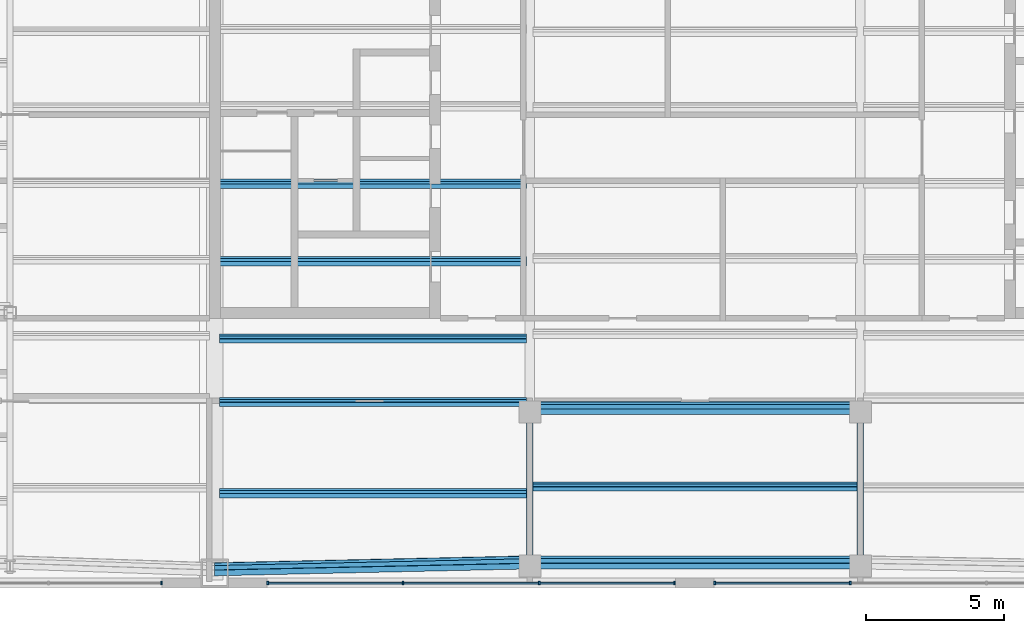
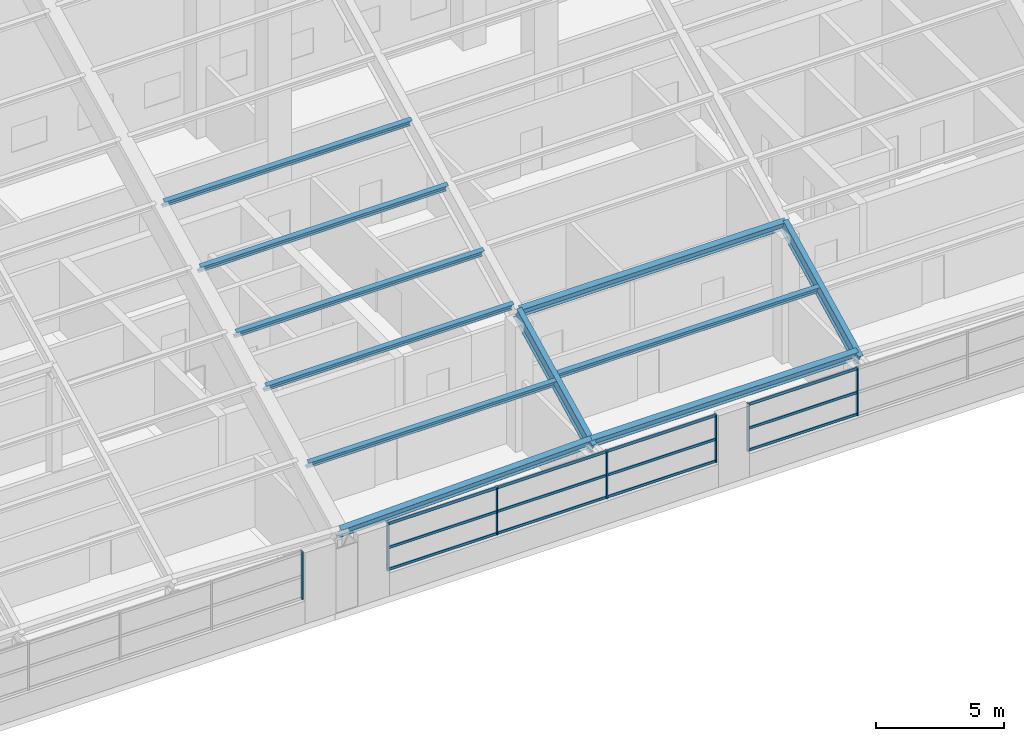
# One storey, part 13 of 28: 30 members, 3 elements without a shape of their own.
"""IFC4 building model written with IfcOpenShell, lengths in metres."""

from ifc_helpers import new_model, si_unit, direction, frame, origin, origin_2d, place, context, subcontext, project, spatial, rectangle, i_section, extrude, material, material_profile, profile_set, type_object, element, aggregate, save


model = new_model("IFC4")

# Units and contexts
model_context = context("Model", 3, precision=1e-05, world=origin(), true_north=direction((0.0, 1.0)))
body_context = subcontext(model_context, "Body", "Model", "MODEL_VIEW")
ifc_project = project(units=[si_unit("LENGTHUNIT", "METRE"), si_unit("AREAUNIT", "SQUARE_METRE"), si_unit("VOLUMEUNIT", "CUBIC_METRE"), si_unit("PLANEANGLEUNIT", "RADIAN"), si_unit("MASSUNIT", "GRAM", prefix="KILO")], contexts=[model_context])

# Site, building, storey
site_placement = place(None, origin())
site = spatial("IfcSite", under=ifc_project, at=site_placement, CompositionType="ELEMENT")
building_placement = place(site_placement, origin())
building = spatial("IfcBuilding", under=site, at=building_placement, Name="Tuart Gate Housing", CompositionType="ELEMENT")
storey_placement = place(building_placement, frame((0.0, 0.0, 243.89990234375)))
storey = spatial("IfcBuildingStorey", under=building, at=storey_placement, Name="L68", CompositionType="ELEMENT", Elevation=243.89990234375)

# Members
ifc_material_1 = material(Name="Steel Grade 350", Category="steel")
ifc_material_profile_1 = material_profile(ifc_material_1, i_section(OverallWidth=0.22900390625, OverallDepth=0.612060546875, WebThickness=0.011962890625, FlangeThickness=0.01953125, at=origin_2d()), Name="610UB125")
ifc_profile_set_1 = profile_set([ifc_material_profile_1], Name="Steel Grade 350")
member_type_1 = type_object("IfcMemberType", Name="Crown purlin 610 UB125 (11.5-13.5 m)", PredefinedType="PURLIN", material=ifc_profile_set_1)
member_1_placement = place(storey_placement, frame((131.550048828125, 54.686767578125, 3.301513671875), z_axis=(0.999702176669, 0.021827651526, 0.010913825763), x_axis=(-0.024404056125, 0.894107142767, 0.447187722659)))
element("IfcMember", 1, at=member_1_placement, inside=storey, type_object=member_type_1, Name="Crown purlin 3", PredefinedType="PURLIN", context=body_context, shape_type="SweptSolid", body=[
    extrude(i_section(OverallWidth=0.22900390625, OverallDepth=0.612060546875, WebThickness=0.011962890625, FlangeThickness=0.01953125, at=origin_2d()), origin(), (0.0, 0.0, 1.0), 11.453369140625),
])
for number, where, z_axis, x_axis, name in (
    (2, (143.0, 54.936767578125, 3.426513671875), (1.0, 0.0, 0.0), (0.0, 0.89442680992, 0.44721435766), "Crown purlin 14"),
    (3, (143.0, 60.536865234375, 6.226318359375), (1.0, 0.0, 0.0), (0.0, 0.89442680992, 0.44721435766), "Crown purlin 18"),
):
    element("IfcMember", number, at=place(storey_placement, frame(where, z_axis=z_axis, x_axis=x_axis)), inside=storey, type_object=member_type_1, Name=name, PredefinedType="PURLIN", context=body_context, shape_type="SweptSolid", body=[
        extrude(i_section(OverallWidth=0.22900390625, OverallDepth=0.612060546875, WebThickness=0.011962890625, FlangeThickness=0.01953125, at=origin_2d()), origin(), (0.0, 0.0, 1.0), 12.0),
    ])
ifc_material_2 = material(Name="Steel Grade 350", Category="steel")
ifc_material_profile_2 = material_profile(ifc_material_2, i_section(OverallWidth=0.22900390625, OverallDepth=0.612060546875, WebThickness=0.011962890625, FlangeThickness=0.01953125, at=origin_2d()), Name="610UB125")
ifc_profile_set_2 = profile_set([ifc_material_profile_2], Name="Steel Grade 350")
member_type_2 = type_object("IfcMemberType", Name="Crown rafter 610 UB125", PredefinedType="RAFTER", material=ifc_profile_set_2)
for number, where, z_axis, x_axis, name in (
    (4, (143.0, 54.6630859375, 3.28955078125), (0.0, 0.89443462622, 0.447198724751), (-1.0, 0.0, 0.0), "Crown rafter 34"),
    (5, (155.0, 54.6630859375, 3.28955078125), (0.0, 0.89443462622, 0.447198724751), (-1.0, 0.0, 0.0), "Crown rafter 37"),
):
    element("IfcMember", number, at=place(storey_placement, frame(where, z_axis=z_axis, x_axis=x_axis)), inside=storey, type_object=member_type_2, Name=name, PredefinedType="RAFTER", context=body_context, shape_type="SweptSolid", body=[
        extrude(i_section(OverallWidth=0.22900390625, OverallDepth=0.612060546875, WebThickness=0.011962890625, FlangeThickness=0.01953125, at=origin_2d()), origin(), (0.0, 0.0, 1.0), 6.567138671875),
    ])
ifc_material_3 = material(Name="Steel Grade 350", Category="steel")
ifc_material_profile_3 = material_profile(ifc_material_3, i_section(OverallWidth=0.177978515625, OverallDepth=0.403076171875, WebThickness=0.007568359375, FlangeThickness=0.010986328125, at=origin_2d()), Name="410UB53.7")
ifc_profile_set_3 = profile_set([ifc_material_profile_3], Name="Steel Grade 350")
member_type_3 = type_object("IfcMemberType", Name="Crown secondary purlin 410 UB53.7", PredefinedType="PURLIN", material=ifc_profile_set_3)
member_2_placement = place(storey_placement, frame((131.72509765625, 57.44921875, 4.79931640625), z_axis=(1.0, 0.0, 0.0), x_axis=(0.0, 0.89442680992, 0.44721435766)))
element("IfcMember", 6, at=member_2_placement, inside=storey, type_object=member_type_3, Name="Crown secondary purlin 9", PredefinedType="PURLIN", context=body_context, shape_type="SweptSolid", body=[
    extrude(i_section(OverallWidth=0.177978515625, OverallDepth=0.403076171875, WebThickness=0.007568359375, FlangeThickness=0.010986328125, at=origin_2d()), origin(), (0.0, 0.0, 1.0), 11.160400390625),
])
member_3_placement = place(storey_placement, frame((143.114501953125, 57.690185546875, 4.919921875), z_axis=(1.0, 0.0, 0.0), x_axis=(0.0, 0.89442680992, 0.44721435766)))
element("IfcMember", 7, at=member_3_placement, inside=storey, type_object=member_type_3, Name="Crown secondary purlin 14", PredefinedType="PURLIN", context=body_context, shape_type="SweptSolid", body=[
    extrude(i_section(OverallWidth=0.177978515625, OverallDepth=0.403076171875, WebThickness=0.007568359375, FlangeThickness=0.010986328125, at=origin_2d()), origin(), (0.0, 0.0, 1.0), 11.77099609375),
])
for number, where, z_axis, x_axis, name in (
    (8, (131.72509765625, 60.75830078125, 6.4541015625), (1.0, 0.0, 0.0), (0.0, 0.89442680992, 0.44721435766), "Crown secondary purlin 24"),
    (9, (131.72509765625, 63.0673828125, 7.6083984375), (1.0, 0.0, 0.0), (0.0, 0.89442680992, 0.44721435766), "Crown secondary purlin 36"),
    (10, (131.72509765625, 65.87646484375, 9.01318359375), (1.0, 0.0, 0.0), (0.0, 0.89442680992, 0.44721435766), "Crown secondary purlin 45"),
    (11, (131.72509765625, 68.685546875, 10.41748046875), (1.0, 0.0, 0.0), (0.0, 0.89442680992, 0.44721435766), "Crown secondary purlin 64"),
):
    element("IfcMember", number, at=place(storey_placement, frame(where, z_axis=z_axis, x_axis=x_axis)), inside=storey, type_object=member_type_3, Name=name, PredefinedType="PURLIN", context=body_context, shape_type="SweptSolid", body=[
        extrude(i_section(OverallWidth=0.177978515625, OverallDepth=0.403076171875, WebThickness=0.007568359375, FlangeThickness=0.010986328125, at=origin_2d()), origin(), (0.0, 0.0, 1.0), 11.160400390625),
    ])

# Curtain wall, member
ifc_material_4 = material(Name="Aluminium and clear glass", Category="aluminium")
curtain_wall_type = type_object("IfcCurtainWallType", Name="Crown clerestory glazing", PredefinedType="USERDEFINED", material=ifc_material_4)
curtain_wall_1_placement = place(storey_placement, origin())
curtain_wall_1 = element("IfcCurtainWall", 12, at=curtain_wall_1_placement, inside=storey, type_object=curtain_wall_type, Name="Crown clerestory glazing BLK-S L68", ObjectType="CROWN CLERESTORY GLAZING", PredefinedType="USERDEFINED")
ifc_material_5 = material(Name="Anodised aluminium", Category="aluminium")
ifc_material_profile_4 = material_profile(ifc_material_5, rectangle(XDim=0.06005859375, YDim=0.125, at=origin_2d()), Name="60x125")
ifc_profile_set_4 = profile_set([ifc_material_profile_4], Name="Anodised aluminium")
member_type_4 = type_object("IfcMemberType", Name="Mullion 60 x 125", PredefinedType="MULLION", material=ifc_profile_set_4)
member_4_placement = place(storey_placement, frame((129.6201171875, 54.179931640625, 1.10009765625), z_axis=(0.0, 0.0, 1.0), x_axis=(1.0, 0.0, 0.0)))
member_4 = element("IfcMember", 13, at=member_4_placement, type_object=member_type_4, Name="CW6 mullion 5", PredefinedType="MULLION", context=body_context, shape_type="SweptSolid", body=[
    extrude(rectangle(XDim=0.06005859375, YDim=0.125, at=origin_2d()), origin(), (0.0, 0.0, 1.0), 2.2900390625),
])
aggregate(curtain_wall_1, [member_4])

# Curtain wall, members
curtain_wall_2_placement = place(storey_placement, origin())
curtain_wall_2 = element("IfcCurtainWall", 14, at=curtain_wall_2_placement, inside=storey, type_object=curtain_wall_type, Name="Crown clerestory glazing BLK-S L68", ObjectType="CROWN CLERESTORY GLAZING", PredefinedType="USERDEFINED")
member_5_placement = place(storey_placement, frame((133.47998046875, 54.179931640625, 1.10009765625), z_axis=(0.0, 0.0, 1.0), x_axis=(1.0, 0.0, 0.0)))
member_5 = element("IfcMember", 15, at=member_5_placement, type_object=member_type_4, Name="CW6 mullion 1", PredefinedType="MULLION", context=body_context, shape_type="SweptSolid", body=[
    extrude(rectangle(XDim=0.06005859375, YDim=0.125, at=origin_2d()), origin(), (0.0, 0.0, 1.0), 2.2900390625),
])
member_6_placement = place(storey_placement, frame((138.39599609375, 54.179931640625, 1.10009765625), z_axis=(0.0, 0.0, 1.0), x_axis=(1.0, 0.0, 0.0)))
member_6 = element("IfcMember", 16, at=member_6_placement, type_object=member_type_4, Name="CW6 mullion 2", PredefinedType="MULLION", context=body_context, shape_type="SweptSolid", body=[
    extrude(rectangle(XDim=0.06005859375, YDim=0.125, at=origin_2d()), origin(), (0.0, 0.0, 1.0), 2.2900390625),
])
member_7_placement = place(storey_placement, frame((143.341796875, 54.179931640625, 1.10009765625), z_axis=(0.0, 0.0, 1.0), x_axis=(1.0, 0.0, 0.0)))
member_7 = element("IfcMember", 17, at=member_7_placement, type_object=member_type_4, Name="CW6 mullion 3", PredefinedType="MULLION", context=body_context, shape_type="SweptSolid", body=[
    extrude(rectangle(XDim=0.06005859375, YDim=0.125, at=origin_2d()), origin(), (0.0, 0.0, 1.0), 2.2900390625),
])
member_8_placement = place(storey_placement, frame((148.2578125, 54.179931640625, 1.10009765625), z_axis=(0.0, 0.0, 1.0), x_axis=(1.0, 0.0, 0.0)))
member_8 = element("IfcMember", 18, at=member_8_placement, type_object=member_type_4, Name="CW6 mullion 4", PredefinedType="MULLION", context=body_context, shape_type="SweptSolid", body=[
    extrude(rectangle(XDim=0.06005859375, YDim=0.125, at=origin_2d()), origin(), (0.0, 0.0, 1.0), 2.2900390625),
])

curtain_wall_3_placement = place(storey_placement, origin())
curtain_wall_3 = element("IfcCurtainWall", 19, at=curtain_wall_3_placement, inside=storey, type_object=curtain_wall_type, Name="Crown clerestory glazing BLK-S L68", ObjectType="CROWN CLERESTORY GLAZING", PredefinedType="USERDEFINED")
member_9_placement = place(storey_placement, frame((149.7177734375, 54.179931640625, 1.10009765625), z_axis=(0.0, 0.0, 1.0), x_axis=(1.0, 0.0, 0.0)))
member_9 = element("IfcMember", 20, at=member_9_placement, type_object=member_type_4, Name="CW6 mullion 1", PredefinedType="MULLION", context=body_context, shape_type="SweptSolid", body=[
    extrude(rectangle(XDim=0.06005859375, YDim=0.125, at=origin_2d()), origin(), (0.0, 0.0, 1.0), 2.2900390625),
])
member_10_placement = place(storey_placement, frame((154.633544921875, 54.179931640625, 1.10009765625), z_axis=(0.0, 0.0, 1.0), x_axis=(1.0, 0.0, 0.0)))
member_10 = element("IfcMember", 21, at=member_10_placement, type_object=member_type_4, Name="CW6 mullion 2", PredefinedType="MULLION", context=body_context, shape_type="SweptSolid", body=[
    extrude(rectangle(XDim=0.06005859375, YDim=0.125, at=origin_2d()), origin(), (0.0, 0.0, 1.0), 2.2900390625),
])

# Member
ifc_material_6 = material(Name="Anodised aluminium", Category="aluminium")
ifc_material_profile_5 = material_profile(ifc_material_6, rectangle(XDim=0.06005859375, YDim=0.1201171875, at=origin_2d()), Name="60x120")
ifc_profile_set_5 = profile_set([ifc_material_profile_5], Name="Anodised aluminium")
member_type_5 = type_object("IfcMemberType", Name="Transom 60 x 120", PredefinedType="USERDEFINED", material=ifc_profile_set_5)
member_11_placement = place(storey_placement, frame((133.510009765625, 54.179931640625, 1.16015625), z_axis=(1.0, 0.0, 0.0), x_axis=(0.0, 1.0, 0.0)))
member_11 = element("IfcMember", 22, at=member_11_placement, type_object=member_type_5, Name="CW6 transom 1.1", ObjectType="TRANSOM", PredefinedType="USERDEFINED", context=body_context, shape_type="SweptSolid", body=[
    extrude(rectangle(XDim=0.06005859375, YDim=0.1201171875, at=origin_2d()), origin(), (0.0, 0.0, 1.0), 4.85595703125),
])

member_12_placement = place(storey_placement, frame((133.510009765625, 54.179931640625, 2.2001953125), z_axis=(1.0, 0.0, 0.0), x_axis=(0.0, 1.0, 0.0)))
member_12 = element("IfcMember", 23, at=member_12_placement, type_object=member_type_5, Name="CW6 transom 1.2", ObjectType="TRANSOM", PredefinedType="USERDEFINED", context=body_context, shape_type="SweptSolid", body=[
    extrude(rectangle(XDim=0.06005859375, YDim=0.1201171875, at=origin_2d()), origin(), (0.0, 0.0, 1.0), 4.85595703125),
])

member_13_placement = place(storey_placement, frame((133.510009765625, 54.179931640625, 3.330078125), z_axis=(1.0, 0.0, 0.0), x_axis=(0.0, 1.0, 0.0)))
member_13 = element("IfcMember", 24, at=member_13_placement, type_object=member_type_5, Name="CW6 transom 1.3", ObjectType="TRANSOM", PredefinedType="USERDEFINED", context=body_context, shape_type="SweptSolid", body=[
    extrude(rectangle(XDim=0.06005859375, YDim=0.1201171875, at=origin_2d()), origin(), (0.0, 0.0, 1.0), 4.85595703125),
])

member_14_placement = place(storey_placement, frame((138.42578125, 54.179931640625, 1.16015625), z_axis=(1.0, 0.0, 0.0), x_axis=(0.0, 1.0, 0.0)))
member_14 = element("IfcMember", 25, at=member_14_placement, type_object=member_type_5, Name="CW6 transom 2.1", ObjectType="TRANSOM", PredefinedType="USERDEFINED", context=body_context, shape_type="SweptSolid", body=[
    extrude(rectangle(XDim=0.06005859375, YDim=0.1201171875, at=origin_2d()), origin(), (0.0, 0.0, 1.0), 4.885986328125),
])

member_15_placement = place(storey_placement, frame((138.42578125, 54.179931640625, 2.2001953125), z_axis=(1.0, 0.0, 0.0), x_axis=(0.0, 1.0, 0.0)))
member_15 = element("IfcMember", 26, at=member_15_placement, type_object=member_type_5, Name="CW6 transom 2.2", ObjectType="TRANSOM", PredefinedType="USERDEFINED", context=body_context, shape_type="SweptSolid", body=[
    extrude(rectangle(XDim=0.06005859375, YDim=0.1201171875, at=origin_2d()), origin(), (0.0, 0.0, 1.0), 4.885986328125),
])

member_16_placement = place(storey_placement, frame((138.42578125, 54.179931640625, 3.330078125), z_axis=(1.0, 0.0, 0.0), x_axis=(0.0, 1.0, 0.0)))
member_16 = element("IfcMember", 27, at=member_16_placement, type_object=member_type_5, Name="CW6 transom 2.3", ObjectType="TRANSOM", PredefinedType="USERDEFINED", context=body_context, shape_type="SweptSolid", body=[
    extrude(rectangle(XDim=0.06005859375, YDim=0.1201171875, at=origin_2d()), origin(), (0.0, 0.0, 1.0), 4.885986328125),
])

member_17_placement = place(storey_placement, frame((143.371826171875, 54.179931640625, 1.16015625), z_axis=(1.0, 0.0, 0.0), x_axis=(0.0, 1.0, 0.0)))
member_17 = element("IfcMember", 28, at=member_17_placement, type_object=member_type_5, Name="CW6 transom 3.1", ObjectType="TRANSOM", PredefinedType="USERDEFINED", context=body_context, shape_type="SweptSolid", body=[
    extrude(rectangle(XDim=0.06005859375, YDim=0.1201171875, at=origin_2d()), origin(), (0.0, 0.0, 1.0), 4.85595703125),
])

member_18_placement = place(storey_placement, frame((143.371826171875, 54.179931640625, 2.2001953125), z_axis=(1.0, 0.0, 0.0), x_axis=(0.0, 1.0, 0.0)))
member_18 = element("IfcMember", 29, at=member_18_placement, type_object=member_type_5, Name="CW6 transom 3.2", ObjectType="TRANSOM", PredefinedType="USERDEFINED", context=body_context, shape_type="SweptSolid", body=[
    extrude(rectangle(XDim=0.06005859375, YDim=0.1201171875, at=origin_2d()), origin(), (0.0, 0.0, 1.0), 4.85595703125),
])

member_19_placement = place(storey_placement, frame((143.371826171875, 54.179931640625, 3.330078125), z_axis=(1.0, 0.0, 0.0), x_axis=(0.0, 1.0, 0.0)))
member_19 = element("IfcMember", 30, at=member_19_placement, type_object=member_type_5, Name="CW6 transom 3.3", ObjectType="TRANSOM", PredefinedType="USERDEFINED", context=body_context, shape_type="SweptSolid", body=[
    extrude(rectangle(XDim=0.06005859375, YDim=0.1201171875, at=origin_2d()), origin(), (0.0, 0.0, 1.0), 4.85595703125),
])

aggregate(curtain_wall_2, [member_5, member_6, member_7, member_8, member_11, member_12, member_13, member_14, member_15, member_16, member_17, member_18, member_19])

member_20_placement = place(storey_placement, frame((149.747802734375, 54.179931640625, 1.16015625), z_axis=(1.0, 0.0, 0.0), x_axis=(0.0, 1.0, 0.0)))
member_20 = element("IfcMember", 31, at=member_20_placement, type_object=member_type_5, Name="CW6 transom 1.1", ObjectType="TRANSOM", PredefinedType="USERDEFINED", context=body_context, shape_type="SweptSolid", body=[
    extrude(rectangle(XDim=0.06005859375, YDim=0.1201171875, at=origin_2d()), origin(), (0.0, 0.0, 1.0), 4.855712890625),
])

member_21_placement = place(storey_placement, frame((149.747802734375, 54.179931640625, 2.2001953125), z_axis=(1.0, 0.0, 0.0), x_axis=(0.0, 1.0, 0.0)))
member_21 = element("IfcMember", 32, at=member_21_placement, type_object=member_type_5, Name="CW6 transom 1.2", ObjectType="TRANSOM", PredefinedType="USERDEFINED", context=body_context, shape_type="SweptSolid", body=[
    extrude(rectangle(XDim=0.06005859375, YDim=0.1201171875, at=origin_2d()), origin(), (0.0, 0.0, 1.0), 4.855712890625),
])

member_22_placement = place(storey_placement, frame((149.747802734375, 54.179931640625, 3.330078125), z_axis=(1.0, 0.0, 0.0), x_axis=(0.0, 1.0, 0.0)))
member_22 = element("IfcMember", 33, at=member_22_placement, type_object=member_type_5, Name="CW6 transom 1.3", ObjectType="TRANSOM", PredefinedType="USERDEFINED", context=body_context, shape_type="SweptSolid", body=[
    extrude(rectangle(XDim=0.06005859375, YDim=0.1201171875, at=origin_2d()), origin(), (0.0, 0.0, 1.0), 4.855712890625),
])

aggregate(curtain_wall_3, [member_9, member_10, member_20, member_21, member_22])

save(model, "model.ifc")
